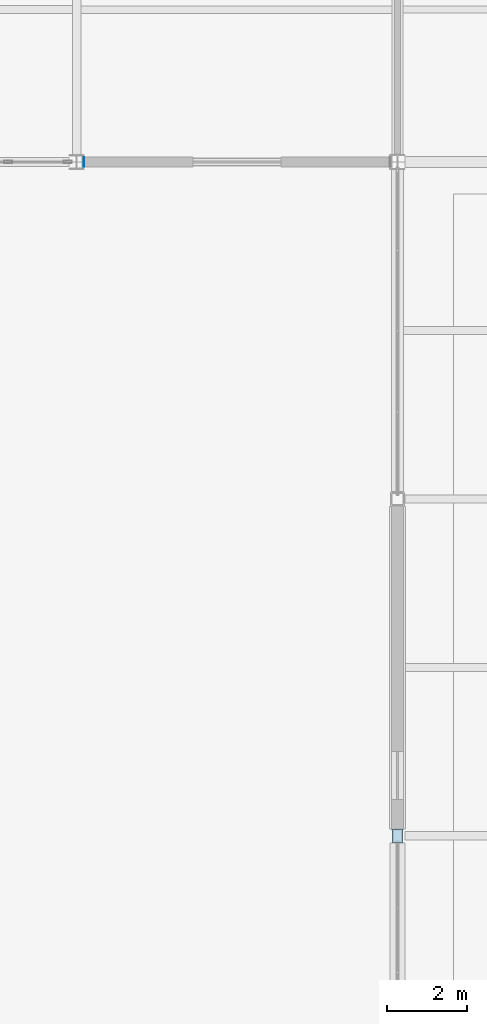
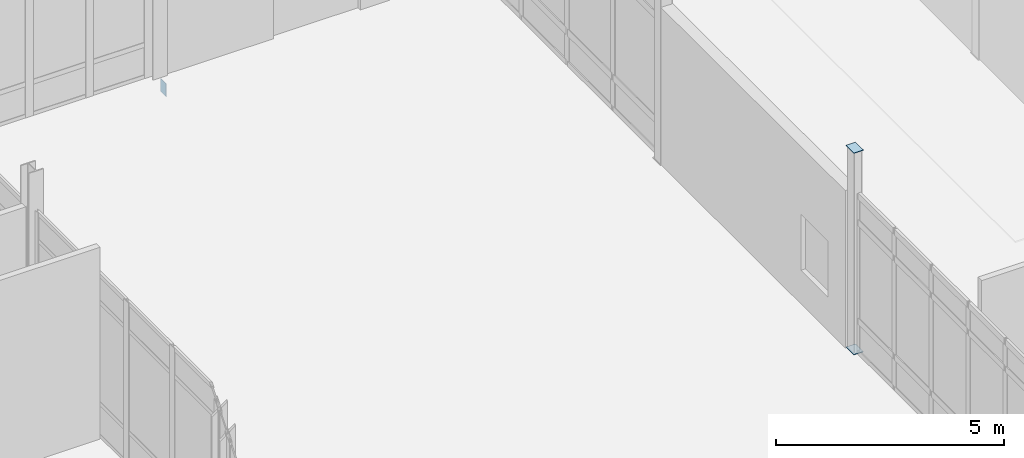
# One storey, part 169 of 229: 3 plates.
"""IFC4 building model written with IfcOpenShell, lengths in metres."""

from ifc_helpers import new_model, si_unit, direction, frame, origin, origin_2d, place, context, subcontext, project, spatial, rectangle, extrude, material, layer, layer_set, type_object, element, save


model = new_model("IFC4")

# Units and contexts
model_context = context("Model", 3, precision=1e-05, world=origin(), true_north=direction((0.0, 1.0)))
body_context = subcontext(model_context, "Body", "Model", "MODEL_VIEW")
ifc_project = project(units=[si_unit("LENGTHUNIT", "METRE"), si_unit("AREAUNIT", "SQUARE_METRE"), si_unit("VOLUMEUNIT", "CUBIC_METRE"), si_unit("PLANEANGLEUNIT", "RADIAN"), si_unit("MASSUNIT", "GRAM", prefix="KILO")], contexts=[model_context])

# Site, building, storey
site_placement = place(None, origin())
site = spatial("IfcSite", under=ifc_project, at=site_placement, CompositionType="ELEMENT")
building_placement = place(site_placement, origin())
building = spatial("IfcBuilding", under=site, at=building_placement, Name="Calvrana Isthmian Art Gallery", CompositionType="ELEMENT")
storey_placement = place(building_placement, origin())
storey = spatial("IfcBuildingStorey", under=building, at=storey_placement, Name="L00", CompositionType="ELEMENT", Elevation=0.0)

# Plates
ifc_material = material(Name="Steel ASTM A572 Gr 50", Category="steel")
ifc_layer = layer(ifc_material, 0.01611328125, Name="Steel ASTM A572 Gr 50")
ifc_layer_set = layer_set([ifc_layer], Name="Steel ASTM A572 Gr 50")
plate_type = type_object("IfcPlateType", Name="PL-CAP-16", PredefinedType="SHEET", material=ifc_layer_set)
for number, where, z_axis, x_axis, name in (
    (1, (96.39990234375, 30.0, -0.008056640625), (0.0, 0.0, 1.0), (1.0, 0.0, 0.0), "Hollow section end cap plate 219"),
    (2, (96.39990234375, 30.0, 5.391845703125), (0.0, 0.0, 1.0), (1.0, 0.0, 0.0), "Hollow section end cap plate 220"),
):
    element("IfcPlate", number, at=place(storey_placement, frame(where, z_axis=z_axis, x_axis=x_axis)), inside=storey, type_object=plate_type, Name=name, PredefinedType="SHEET", context=body_context, shape_type="SweptSolid", body=[
        extrude(rectangle(XDim=0.2431640625, YDim=0.3447265625, at=origin_2d()), origin(), (0.0, 0.0, 1.0), 0.01611328125),
    ])
plate_placement = place(storey_placement, frame((88.58642578125, 46.800048828125, -0.60986328125), z_axis=(0.0, 0.0, 1.0), x_axis=(1.0, 0.0, 0.0)))
element("IfcPlate", 3, at=plate_placement, inside=storey, type_object=plate_type, Name="Hollow section end cap plate 387", PredefinedType="SHEET", context=body_context, shape_type="SweptSolid", body=[
    extrude(rectangle(XDim=0.01611328125, YDim=0.2431640625, at=origin_2d()), origin(), (0.0, 0.0, 1.0), 0.3447265625),
])

save(model, "model.ifc")
